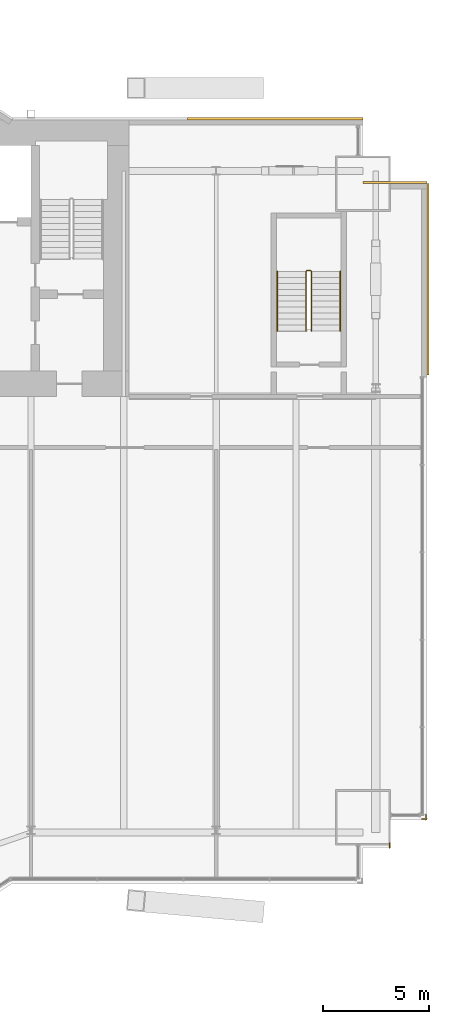
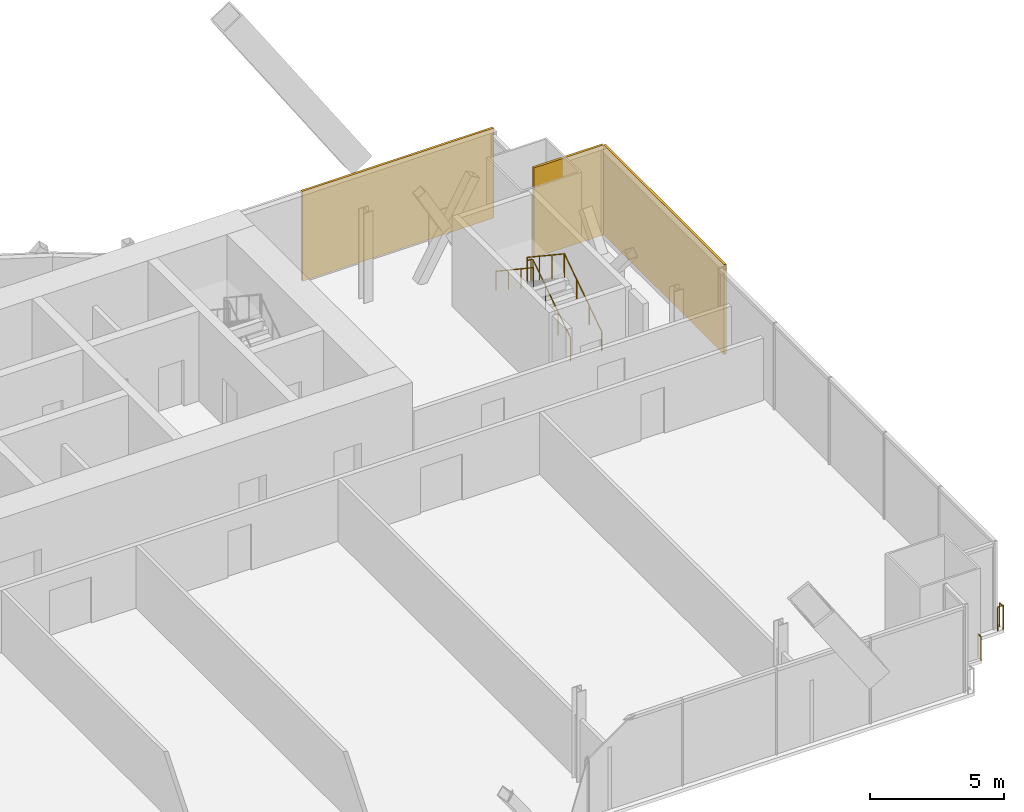
# One storey, part 22 of 22: 5 railings, 3 coverings.
"""IFC4 building model written with IfcOpenShell, lengths in metres."""

from ifc_helpers import new_model, si_unit, direction, frame, origin, origin_2d, place, context, subcontext, project, spatial, rectangle, circle, extrude, material, layer, layer_set, type_object, element, save


model = new_model("IFC4")

# Units and contexts
model_context = context("Model", 3, precision=1e-05, world=origin(), true_north=direction((0.0, 1.0)))
body_context = subcontext(model_context, "Body", "Model", "MODEL_VIEW")
ifc_project = project(units=[si_unit("LENGTHUNIT", "METRE"), si_unit("AREAUNIT", "SQUARE_METRE"), si_unit("VOLUMEUNIT", "CUBIC_METRE"), si_unit("PLANEANGLEUNIT", "RADIAN"), si_unit("MASSUNIT", "GRAM", prefix="KILO")], contexts=[model_context])

# Site, building, storey
site_placement = place(None, origin())
site = spatial("IfcSite", under=ifc_project, at=site_placement, CompositionType="ELEMENT")
building_placement = place(site_placement, origin())
building = spatial("IfcBuilding", under=site, at=building_placement, Name="Bicima Exchange Tower", CompositionType="ELEMENT")
storey_placement = place(building_placement, frame((0.0, 0.0, 144.5)))
storey = spatial("IfcBuildingStorey", under=building, at=storey_placement, Name="L31", CompositionType="ELEMENT", Elevation=144.5)

# Coverings
ifc_material_1 = material(Name="Bronze metal cladding")
ifc_layer_1 = layer(ifc_material_1, 0.004)
ifc_material_2 = material(Name="Ventilated cavity")
ifc_layer_2 = layer(ifc_material_2, 0.06)
ifc_material_3 = material(Name="Galvanised steel rail and mineral wool", Category="steel")
ifc_layer_3 = layer(ifc_material_3, 0.036)
ifc_layer_set = layer_set([ifc_layer_1, ifc_layer_2, ifc_layer_3], Name="Ventilated cavity")
covering_type = type_object("IfcCoveringType", Name="Bronze metal cladding panel 100", PredefinedType="CLADDING", material=ifc_layer_set)
covering_1_placement = place(storey_placement, frame((28.875, 0.050048828125, -0.150146484375), z_axis=(0.0, 0.0, 1.0), x_axis=(-1.0, 0.0, 0.0)))
element("IfcCovering", 1, at=covering_1_placement, inside=storey, type_object=covering_type, Name="Bronze cladding L31 1.1", PredefinedType="CLADDING", context=body_context, shape_type="SweptSolid", body=[
    extrude(rectangle(XDim=8.25, YDim=0.10009765625, at=origin_2d()), origin(), (0.0, 0.0, 1.0), 4.10009765625),
])
covering_2_placement = place(storey_placement, frame((36.050048828125, -7.5, -0.150146484375), z_axis=(0.0, 0.0, 1.0), x_axis=(0.0, 1.0, 0.0)))
element("IfcCovering", 2, at=covering_2_placement, inside=storey, type_object=covering_type, Name="Bronze cladding L31 50.1", PredefinedType="CLADDING", context=body_context, shape_type="SweptSolid", body=[
    extrude(rectangle(XDim=9.0, YDim=0.10009765625, at=origin_2d()), origin(), (0.0, 0.0, 1.0), 4.10009765625),
])
covering_3_placement = place(storey_placement, frame((34.5, -2.949951171875, -0.150146484375), z_axis=(0.0, 0.0, 1.0), x_axis=(-1.0, 0.0, 0.0)))
element("IfcCovering", 3, at=covering_3_placement, inside=storey, type_object=covering_type, Name="Bronze cladding L31 51.1", PredefinedType="CLADDING", context=body_context, shape_type="SweptSolid", body=[
    extrude(rectangle(XDim=3.0, YDim=0.10009765625, at=origin_2d()), origin(), (0.0, 0.0, 1.0), 4.10009765625),
])

# Railings
ifc_material_4 = material(Name="Stainless steel and bonded safety glass", Category="steel")
railing_type_1 = type_object("IfcRailingType", Name="Edge guard 1100", PredefinedType="GUARDRAIL", material=ifc_material_4)
railing_1_placement = place(storey_placement, frame((35.949951171875, -32.65087890625, 0.0)))
element("IfcRailing", 4, at=railing_1_placement, inside=storey, type_object=railing_type_1, Name="Edge guard L31 150", PredefinedType="GUARDRAIL", context=body_context, shape_type="SweptSolid", body=[
    extrude(circle(Radius=0.02392578125, at=origin_2d()), frame((0.0, 0.0, 1.076171875), z_axis=(0.0, -1.0, 0.0), x_axis=(1.0, 0.0, 0.0)), (0.0, 0.0, 1.0), 0.2490234375),
    extrude(circle(Radius=0.02392578125, at=origin_2d()), frame((0.0, -0.2490234375, 1.076171875), z_axis=(0.708833529934, 0.705375805398, 0.0), x_axis=(-0.705375805398, 0.708833529934, 0.0)), (0.0, 0.0, 1.0), 0.070556640625),
    extrude(circle(Radius=0.02392578125, at=origin_2d()), frame((0.050048828125, -0.19921875, 1.076171875), z_axis=(-1.0, 0.0, 0.0), x_axis=(0.0, -1.0, 0.0)), (0.0, 0.0, 1.0), 0.242919921875),
    extrude(circle(Radius=0.02099609375, at=origin_2d()), origin(), (0.0, 0.0, 1.0), 1.052001953125),
    extrude(circle(Radius=0.02099609375, at=origin_2d()), frame((0.0, -0.2490234375, 0.0)), (0.0, 0.0, 1.0), 1.052001953125),
    extrude(circle(Radius=0.02099609375, at=origin_2d()), frame((0.050048828125, -0.19921875, 0.0)), (0.0, 0.0, 1.0), 1.052001953125),
    extrude(circle(Radius=0.02099609375, at=origin_2d()), frame((-0.19287109375, -0.19921875, 0.0)), (0.0, 0.0, 1.0), 1.052001953125),
])
railing_2_placement = place(storey_placement, frame((34.25, -33.98291015625, 0.0)))
element("IfcRailing", 5, at=railing_2_placement, inside=storey, type_object=railing_type_1, Name="Edge guard L31 151", PredefinedType="GUARDRAIL", context=body_context, shape_type="SweptSolid", body=[
    extrude(circle(Radius=0.02392578125, at=origin_2d()), frame((0.0, 0.0, 1.076171875), z_axis=(0.0, -1.0, 0.0), x_axis=(1.0, 0.0, 0.0)), (0.0, 0.0, 1.0), 0.217041015625),
    extrude(circle(Radius=0.02099609375, at=origin_2d()), origin(), (0.0, 0.0, 1.0), 1.052001953125),
    extrude(circle(Radius=0.02099609375, at=origin_2d()), frame((0.0, -0.217041015625, 0.0)), (0.0, 0.0, 1.0), 1.052001953125),
])
ifc_material_5 = material(Name="Stainless steel", Category="steel")
railing_type_2 = type_object("IfcRailingType", Name="Stair guard 1100", PredefinedType="GUARDRAIL", material=ifc_material_5)
railing_3_placement = place(storey_placement, frame((30.574951171875, -9.925048828125, 0.186279296875)))
element("IfcRailing", 6, at=railing_3_placement, inside=storey, type_object=railing_type_2, Name="L31 ST-EE stair guard 1", PredefinedType="GUARDRAIL", context=body_context, shape_type="SweptSolid", body=[
    extrude(circle(Radius=0.02392578125, at=origin_2d()), frame((0.0, 0.0, 1.076171875), z_axis=(0.0, 0.832452072856, 0.554097055034), x_axis=(-1.0, 0.0, 0.0)), (0.0, 0.0, 1.0), 3.363525390625),
    extrude(circle(Radius=0.02392578125, at=origin_2d()), frame((0.0, 2.800048828125, 2.93994140625), z_axis=(-0.707106781187, 0.707106781187, 0.0), x_axis=(-0.707106781187, -0.707106781187, 0.0)), (0.0, 0.0, 1.0), 0.07080078125),
    extrude(circle(Radius=0.02392578125, at=origin_2d()), frame((-0.050048828125, 2.85009765625, 2.93994140625), z_axis=(-1.0, 0.0, 0.0), x_axis=(0.0, -1.0, 0.0)), (0.0, 0.0, 1.0), 0.14990234375),
    extrude(circle(Radius=0.02392578125, at=origin_2d()), frame((-0.199951171875, 2.85009765625, 2.93994140625), z_axis=(-0.251157038772, -0.251157038772, 0.934794246747), x_axis=(0.707106781187, -0.707106781187, 0.0)), (0.0, 0.0, 1.0), 0.19921875),
    extrude(circle(Radius=0.02392578125, at=origin_2d()), frame((-0.25, 2.800048828125, 3.1259765625), z_axis=(0.0, -0.832452072856, 0.554097055034), x_axis=(1.0, 0.0, 0.0)), (0.0, 0.0, 1.0), 3.363525390625),
    extrude(circle(Radius=0.02099609375, at=origin_2d()), origin(), (0.0, 0.0, 1.0), 1.052001953125),
    extrude(circle(Radius=0.02099609375, at=origin_2d()), frame((0.0, 0.933349609375, 0.621337890625)), (0.0, 0.0, 1.0), 1.052001953125),
    extrude(circle(Radius=0.02099609375, at=origin_2d()), frame((0.0, 1.86669921875, 1.242431640625)), (0.0, 0.0, 1.0), 1.052001953125),
    extrude(circle(Radius=0.02099609375, at=origin_2d()), frame((0.0, 2.800048828125, 1.86376953125)), (0.0, 0.0, 1.0), 1.052001953125),
    extrude(circle(Radius=0.02099609375, at=origin_2d()), frame((-0.050048828125, 2.85009765625, 1.86376953125)), (0.0, 0.0, 1.0), 1.052001953125),
    extrude(circle(Radius=0.02099609375, at=origin_2d()), frame((-0.199951171875, 2.85009765625, 1.86376953125)), (0.0, 0.0, 1.0), 1.052001953125),
    extrude(circle(Radius=0.02099609375, at=origin_2d()), frame((-0.25, 2.800048828125, 2.050048828125)), (0.0, 0.0, 1.0), 1.052001953125),
    extrude(circle(Radius=0.02099609375, at=origin_2d()), frame((-0.25, 1.86669921875, 2.67138671875)), (0.0, 0.0, 1.0), 1.052001953125),
    extrude(circle(Radius=0.02099609375, at=origin_2d()), frame((-0.25, 0.933349609375, 3.29248046875)), (0.0, 0.0, 1.0), 1.052001953125),
    extrude(circle(Radius=0.02099609375, at=origin_2d()), frame((-0.25, 0.0, 3.913818359375)), (0.0, 0.0, 1.0), 1.052001953125),
])
railing_type_3 = type_object("IfcRailingType", Name="Stair handrail 900", PredefinedType="HANDRAIL", material=ifc_material_5)
railing_4_placement = place(storey_placement, frame((31.925048828125, -9.925048828125, 0.186279296875)))
element("IfcRailing", 7, at=railing_4_placement, inside=storey, type_object=railing_type_3, Name="L31 ST-EE stair handrail 1", PredefinedType="HANDRAIL", context=body_context, shape_type="SweptSolid", body=[
    extrude(circle(Radius=0.02392578125, at=origin_2d()), frame((0.0, 0.0, 0.8759765625), z_axis=(0.0, 0.832452072856, 0.554097055034), x_axis=(-1.0, 0.0, 0.0)), (0.0, 0.0, 1.0), 3.363525390625),
    extrude(circle(Radius=0.02099609375, at=origin_2d()), origin(), (0.0, 0.0, 1.0), 0.851806640625),
    extrude(circle(Radius=0.02099609375, at=origin_2d()), frame((0.0, 0.933349609375, 0.621337890625)), (0.0, 0.0, 1.0), 0.851806640625),
    extrude(circle(Radius=0.02099609375, at=origin_2d()), frame((0.0, 1.86669921875, 1.242431640625)), (0.0, 0.0, 1.0), 0.851806640625),
    extrude(circle(Radius=0.02099609375, at=origin_2d()), frame((0.0, 2.800048828125, 1.86376953125)), (0.0, 0.0, 1.0), 0.851806640625),
])
railing_5_placement = place(storey_placement, frame((28.97509765625, -7.125, 2.27685546875)))
element("IfcRailing", 8, at=railing_5_placement, inside=storey, type_object=railing_type_3, Name="L31 ST-EE stair handrail 2", PredefinedType="HANDRAIL", context=body_context, shape_type="SweptSolid", body=[
    extrude(circle(Radius=0.02392578125, at=origin_2d()), frame((0.0, 0.0, 0.8759765625), z_axis=(0.0, -0.832485552168, 0.554046753832), x_axis=(1.0, 0.0, 0.0)), (0.0, 0.0, 1.0), 3.363525390625),
    extrude(circle(Radius=0.02099609375, at=origin_2d()), origin(), (0.0, 0.0, 1.0), 0.851806640625),
    extrude(circle(Radius=0.02099609375, at=origin_2d()), frame((0.0, -0.933349609375, 0.62109375)), (0.0, 0.0, 1.0), 0.851806640625),
    extrude(circle(Radius=0.02099609375, at=origin_2d()), frame((0.0, -1.86669921875, 1.242431640625)), (0.0, 0.0, 1.0), 0.851806640625),
    extrude(circle(Radius=0.02099609375, at=origin_2d()), frame((0.0, -2.800048828125, 1.863525390625)), (0.0, 0.0, 1.0), 0.851806640625),
])

save(model, "model.ifc")
